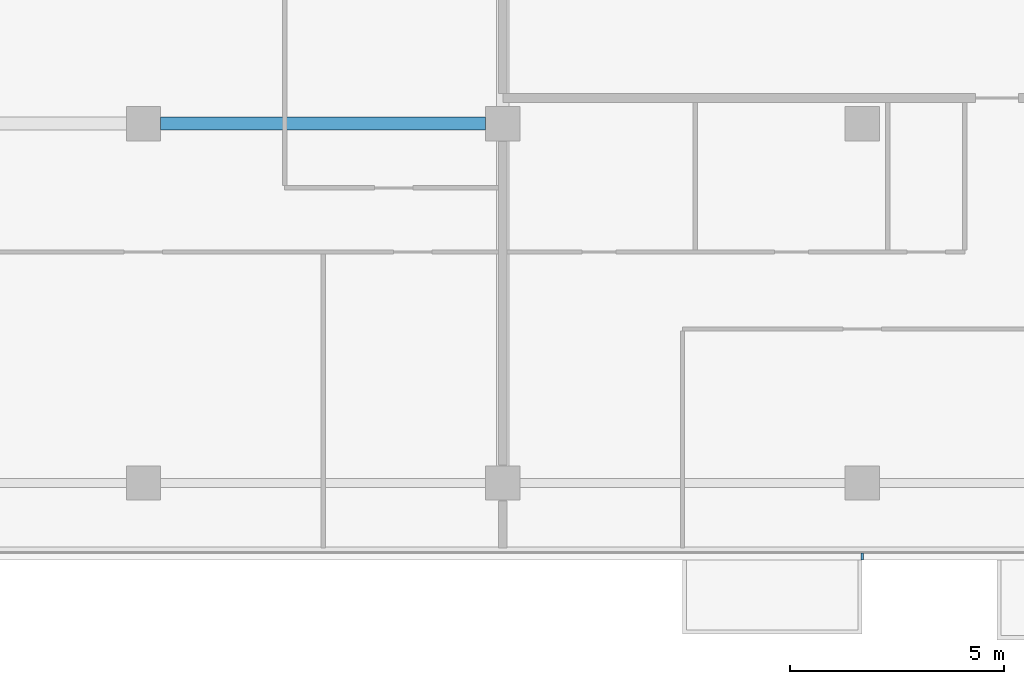
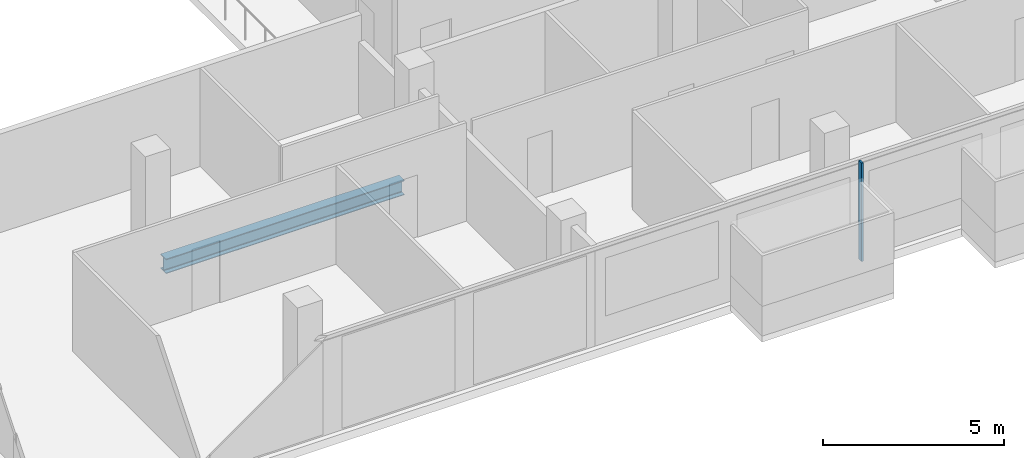
# One storey, part 6 of 29: 1 beam, 1 member, 1 element without a shape of its own.
"""IFC4 building model written with IfcOpenShell, lengths in metres."""

from ifc_helpers import new_model, si_unit, direction, frame, origin, origin_2d, place, context, subcontext, project, spatial, rectangle, i_section, extrude, material, material_profile, profile_set, type_object, element, aggregate, save


model = new_model("IFC4")

# Units and contexts
model_context = context("Model", 3, precision=1e-05, world=origin(), true_north=direction((0.0, 1.0)))
body_context = subcontext(model_context, "Body", "Model", "MODEL_VIEW")
ifc_project = project(units=[si_unit("LENGTHUNIT", "METRE"), si_unit("AREAUNIT", "SQUARE_METRE"), si_unit("VOLUMEUNIT", "CUBIC_METRE"), si_unit("PLANEANGLEUNIT", "RADIAN"), si_unit("MASSUNIT", "GRAM", prefix="KILO")], contexts=[model_context])

# Site, building, storey
site_placement = place(None, origin())
site = spatial("IfcSite", under=ifc_project, at=site_placement, CompositionType="ELEMENT")
building_placement = place(site_placement, origin())
building = spatial("IfcBuilding", under=site, at=building_placement, Name="Saffron Gate Tower", CompositionType="ELEMENT")
storey_placement = place(building_placement, frame((0.0, 0.0, 113.25)))
storey = spatial("IfcBuildingStorey", under=building, at=storey_placement, Name="L26", CompositionType="ELEMENT", Elevation=113.25)

# Beam
ifc_material_1 = material(Name="Structural steel S355", Category="steel")
ifc_material_profile_1 = material_profile(ifc_material_1, i_section(OverallWidth=0.300048828125, OverallDepth=0.489990234375, WebThickness=0.011962890625, FlangeThickness=0.02294921875, FilletRadius=0.027099609375, at=origin_2d()))
ifc_profile_set_1 = profile_set([ifc_material_profile_1], Name="Structural steel S355")
beam_type = type_object("IfcBeamType", Name="B8 HEA 500", PredefinedType="BEAM", material=ifc_profile_set_1)
beam_placement = place(storey_placement, frame((92.199951171875, 40.199951171875, -0.52490234375), z_axis=(1.0, 0.0, 0.0), x_axis=(0.0, 1.0, 0.0)))
element("IfcBeam", 1, at=beam_placement, inside=storey, type_object=beam_type, Name="B8 FLOOR GIRDER", PredefinedType="BEAM", context=body_context, shape_type="SweptSolid", body=[
    extrude(i_section(OverallWidth=0.300048828125, OverallDepth=0.489990234375, WebThickness=0.011962890625, FlangeThickness=0.02294921875, FilletRadius=0.027099609375, at=origin_2d()), origin(), (0.0, 0.0, 1.0), 7.60009765625),
])

# Curtain wall, member
ifc_material_2 = material(Name="Aluminium, bronze anodised", Category="aluminium")
curtain_wall_type = type_object("IfcCurtainWallType", Name="CWS1 curtain wall front facade", PredefinedType="NOTDEFINED", material=ifc_material_2)
curtain_wall_placement = place(storey_placement, origin())
curtain_wall = element("IfcCurtainWall", 2, at=curtain_wall_placement, inside=storey, type_object=curtain_wall_type, Name="CWS1 run 1", PredefinedType="NOTDEFINED")
ifc_material_profile_2 = material_profile(ifc_material_2, rectangle(XDim=0.159912109375, YDim=0.06005859375, at=origin_2d()))
ifc_profile_set_2 = profile_set([ifc_material_profile_2], Name="Aluminium, bronze anodised")
member_type = type_object("IfcMemberType", Name="CWS1 mullion 60x160", PredefinedType="MULLION", material=ifc_profile_set_2)
member_placement = place(storey_placement, frame((108.60009765625, 30.080078125, 0.0), z_axis=(0.0, 0.0, 1.0), x_axis=(0.0, 1.0, 0.0)))
member = element("IfcMember", 3, at=member_placement, type_object=member_type, Name="CWS1 mullion 8", PredefinedType="MULLION", context=body_context, shape_type="SweptSolid", body=[
    extrude(rectangle(XDim=0.159912109375, YDim=0.06005859375, at=origin_2d()), origin(), (0.0, 0.0, 1.0), 3.320068359375),
])
aggregate(curtain_wall, [member])

save(model, "model.ifc")
